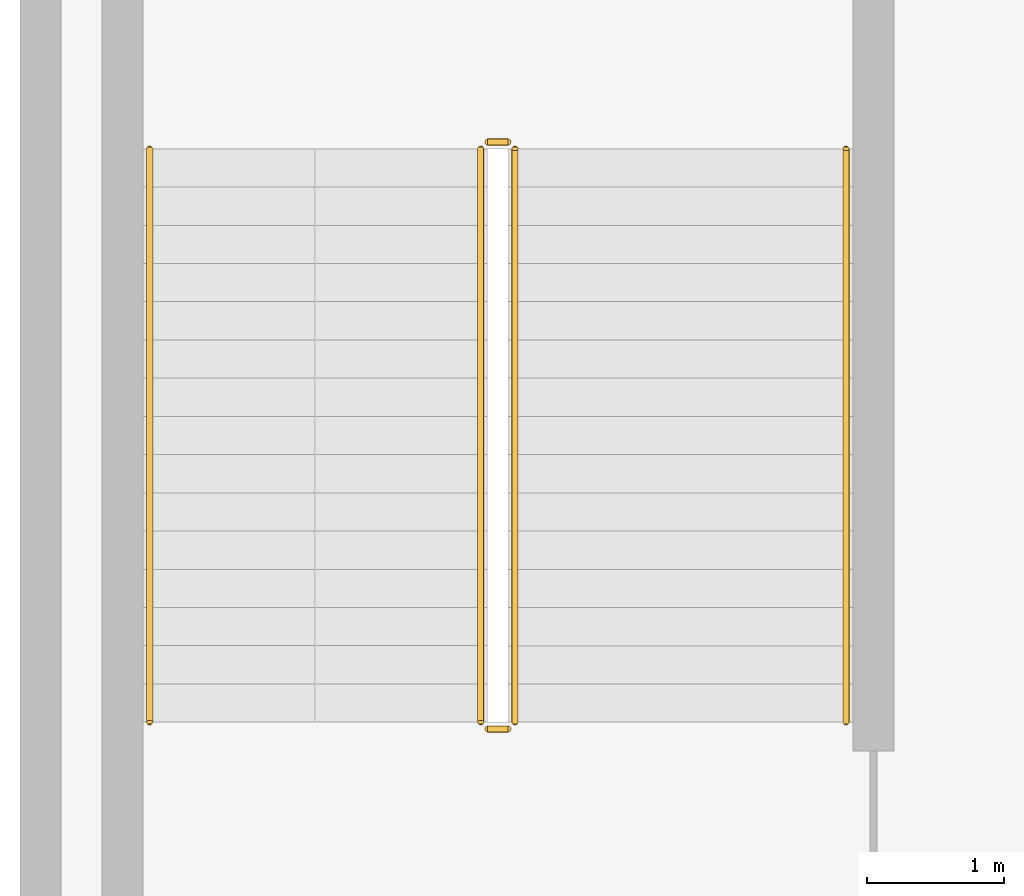
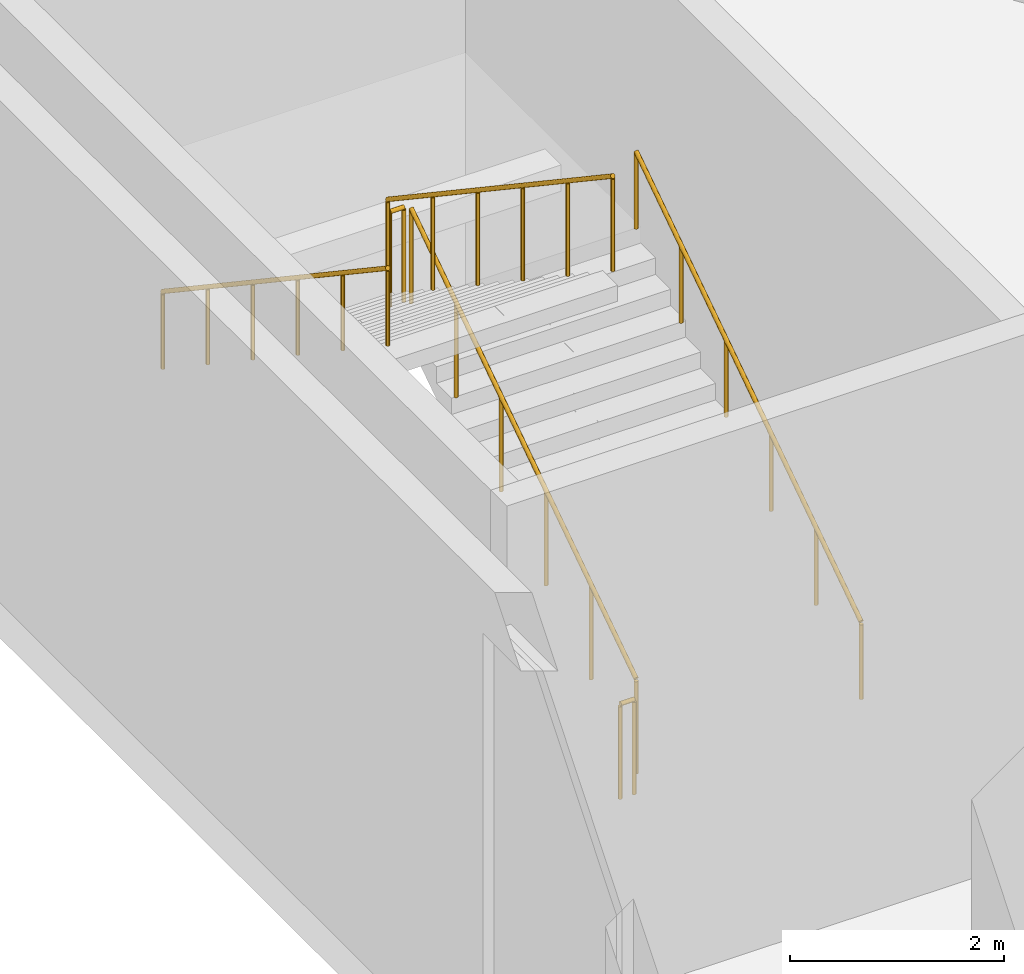
# One storey, part 19 of 25: 6 railings.
"""IFC4 building model written with IfcOpenShell, lengths in metres."""

import ifcopenshell
import ifcopenshell.guid

model = None  # the IFC model being written
_history = None  # IfcOwnerHistory: only IFC2X3 demands one
_inside = {}  # id of a spatial element -> (the spatial element, [elements in it])
_under = {}  # id of a project, library or spatial element -> (it, [spatial elements below it])
_declared = {}  # id of a project -> (the project, [libraries it declares])
_typed = {}  # id of a type object -> (the type object, [elements of that type])
_made_of = {}  # id of a material, layer set ... -> (it, [elements and type objects made of it])


def new_model(schema):
    """Start an empty IFC model of exactly this schema.

    Asked for "IFC4X3", IfcOpenShell would pick the latest addendum, in which some entities
    have other attributes; the version numbers below select the first issue.
    IFC2X3 requires an IfcOwnerHistory on every rooted entity: one is made here for all.
    """
    global model, _history
    if schema == "IFC4X3":
        model = ifcopenshell.file(schema_version=(4, 3, 0, 0))
    else:
        model = ifcopenshell.file(schema=schema)
    _inside.clear()
    _under.clear()
    _declared.clear()
    _typed.clear()
    _made_of.clear()
    _history = None
    if model.schema == "IFC2X3":
        org = make("IfcOrganization", Name="unknown")
        user = make(
            "IfcPersonAndOrganization",
            ThePerson=make("IfcPerson", FamilyName="unknown"),
            TheOrganization=org,
        )
        app = make(
            "IfcApplication",
            ApplicationDeveloper=org,
            Version="unknown",
            ApplicationFullName="unknown",
            ApplicationIdentifier="unknown",
        )
        _history = make(
            "IfcOwnerHistory",
            OwningUser=user,
            OwningApplication=app,
            ChangeAction="ADDED",
            CreationDate=0,
        )
    return model


def make(cls, **values):
    """One entity of the class cls with the attributes given. An attribute that is None is left unset."""
    return model.create_entity(
        cls, **{name: value for name, value in values.items() if value is not None}
    )


def rooted(cls, **values):
    """An entity with a GlobalId (a new one), such as an element, a storey or a relation."""
    return make(cls, GlobalId=ifcopenshell.guid.new(), OwnerHistory=_history, **values)


def si_unit(unit_type, name, prefix=None):
    """IfcSIUnit, for example si_unit("LENGTHUNIT", "METRE", prefix="MILLI")."""
    return make("IfcSIUnit", UnitType=unit_type, Prefix=prefix, Name=name)


def assignment(units):
    """IfcUnitAssignment: the units of a project."""
    return None if units is None else make("IfcUnitAssignment", Units=units)


def point(xyz):
    """IfcCartesianPoint."""
    return None if xyz is None else make("IfcCartesianPoint", Coordinates=xyz)


def direction(xyz):
    """IfcDirection."""
    return None if xyz is None else make("IfcDirection", DirectionRatios=xyz)


def frame(location, z_axis=None, x_axis=None):
    """IfcAxis2Placement3D, a coordinate frame: its origin and axes. An axis left out is left unset."""
    return make(
        "IfcAxis2Placement3D",
        Location=point(location),
        Axis=direction(z_axis),
        RefDirection=direction(x_axis),
    )


def frame_2d(location, x_axis=None):
    """IfcAxis2Placement2D, a coordinate frame in the plane: its origin and x axis."""
    return make(
        "IfcAxis2Placement2D", Location=point(location), RefDirection=direction(x_axis)
    )


def origin():
    """The frame at (0, 0, 0) with its axes left unset."""
    return frame((0.0, 0.0, 0.0))


def origin_2d():
    """The frame at (0, 0) in the plane with its x axis left unset."""
    return frame_2d((0.0, 0.0))


def place(relative_to, where):
    """IfcLocalPlacement: puts the frame where relative to a parent placement (None: the world)."""
    return make(
        "IfcLocalPlacement", PlacementRelTo=relative_to, RelativePlacement=where
    )


def context(
    kind, dimensions, precision=None, world=None, true_north=None, identifier=None
):
    """IfcGeometricRepresentationContext, for example the 3D "Model" context."""
    return make(
        "IfcGeometricRepresentationContext",
        ContextIdentifier=identifier,
        ContextType=kind,
        CoordinateSpaceDimension=dimensions,
        Precision=precision,
        WorldCoordinateSystem=world,
        TrueNorth=true_north,
    )


def subcontext(parent, identifier, kind, view, scale=None):
    """IfcGeometricRepresentationSubContext, for example "Body" below "Model"."""
    return make(
        "IfcGeometricRepresentationSubContext",
        ContextIdentifier=identifier,
        ContextType=kind,
        ParentContext=parent,
        TargetScale=scale,
        TargetView=view,
    )


def project(units=None, contexts=None):
    """IfcProject with its units and contexts."""
    return rooted(
        "IfcProject",
        Name="project",
        RepresentationContexts=contexts,
        UnitsInContext=assignment(units),
    )


def spatial(cls, under=None, at=None, **own):
    """A site, building, storey or space (cls), placed at a placement, below another one or the project."""
    s = rooted(cls, ObjectPlacement=at, **own)
    if under is not None:
        _under.setdefault(under.id(), (under, []))[1].append(s)
    return s


def profile(cls, at=None, kind="AREA", **sizes):
    """A parametric profile (cls). Its sizes go by their IFC names, for example OverallWidth=200.0."""
    return make(cls, ProfileType=kind, Position=at, **sizes)


def circle(**sizes):
    """IfcCircleProfileDef."""
    return profile("IfcCircleProfileDef", **sizes)


def extrude(swept, where, along, depth):
    """IfcExtrudedAreaSolid: the profile swept, set in the frame where, extruded along a direction by depth."""
    return make(
        "IfcExtrudedAreaSolid",
        SweptArea=swept,
        Position=where,
        ExtrudedDirection=direction(along),
        Depth=depth,
    )


def shape(context_of_items, identifier, shape_type, items):
    """IfcShapeRepresentation: the items that make up one representation, for example the "Body"."""
    return make(
        "IfcShapeRepresentation",
        ContextOfItems=context_of_items,
        RepresentationIdentifier=identifier,
        RepresentationType=shape_type,
        Items=items,
    )


def material(Name=None, Category=None):
    """IfcMaterial."""
    return make("IfcMaterial", Name=Name, Category=Category)


def made_of(thing, what):
    """Note that an element or type object is made of a material, layer set ...; save() writes the relation."""
    if what is not None:
        _made_of.setdefault(what.id(), (what, []))[1].append(thing)
    return thing


def type_object(cls, material=None, **own):
    """A type object (cls), such as IfcWallType, which elements share."""
    return made_of(rooted(cls, **own), material)


def element(
    cls,
    number,
    at=None,
    inside=None,
    cuts=None,
    type_object=None,
    material=None,
    context=None,
    identifier="Body",
    shape_type=None,
    held_by="IfcProductDefinitionShape",
    body=None,
    shapes=None,
    **own,
):
    """One element of the class cls, such as IfcWall. Its Tag is "e" and its number.

    at: its placement. inside: the storey or other place that contains it. cuts: it is an
    opening in that element (IfcRelVoidsElement). A single representation is given by context,
    identifier, shape_type and body (its items); several are given by shapes. held_by: the class
    of the entity that holds the representations. save() writes the other relations.
    """
    e = rooted(cls, Tag="e%d" % number, ObjectPlacement=at, **own)
    if body is not None:
        shapes = [shape(context, identifier, shape_type, body)]
    if shapes is not None:
        e.Representation = make(held_by, Representations=shapes)
    if inside is not None:
        _inside.setdefault(inside.id(), (inside, []))[1].append(e)
    if cuts is not None:
        rooted(
            "IfcRelVoidsElement", RelatingBuildingElement=cuts, RelatedOpeningElement=e
        )
    if type_object is not None:
        _typed.setdefault(type_object.id(), (type_object, []))[1].append(e)
    return made_of(e, material)


def aggregate(whole, parts):
    """IfcRelAggregates: a whole, such as a stair, and the parts it consists of."""
    return rooted("IfcRelAggregates", RelatingObject=whole, RelatedObjects=parts)


def save(model, path):
    """Write the relations noted so far, then the file.

    IfcRelAggregates (storeys below a building ...), IfcRelContainedInSpatialStructure (elements
    in a storey), IfcRelDefinesByType, IfcRelAssociatesMaterial and IfcRelDeclares: one each for
    every whole, place, type object, material and project.
    """
    for whole, parts in _under.values():
        aggregate(whole, parts)
    for where, things in _inside.values():
        rooted(
            "IfcRelContainedInSpatialStructure",
            RelatedElements=things,
            RelatingStructure=where,
        )
    for kind, things in _typed.values():
        rooted("IfcRelDefinesByType", RelatedObjects=things, RelatingType=kind)
    for what, things in _made_of.values():
        rooted("IfcRelAssociatesMaterial", RelatedObjects=things, RelatingMaterial=what)
    for by, libraries in _declared.values():
        rooted("IfcRelDeclares", RelatingContext=by, RelatedDefinitions=libraries)
    model.write(path)


model = new_model("IFC4")

# Units and contexts
model_context = context("Model", 3, precision=1e-05, world=origin(), true_north=direction((0.0, 1.0)))
body_context = subcontext(model_context, "Body", "Model", "MODEL_VIEW")
ifc_project = project(units=[si_unit("LENGTHUNIT", "METRE"), si_unit("AREAUNIT", "SQUARE_METRE"), si_unit("VOLUMEUNIT", "CUBIC_METRE"), si_unit("PLANEANGLEUNIT", "RADIAN"), si_unit("MASSUNIT", "GRAM", prefix="KILO")], contexts=[model_context])

# Site, building, storey
site_placement = place(None, origin())
site = spatial("IfcSite", under=ifc_project, at=site_placement, CompositionType="ELEMENT")
building_placement = place(site_placement, origin())
building = spatial("IfcBuilding", under=site, at=building_placement, Name="Tel Ilan Convention Tower", CompositionType="ELEMENT")
storey_placement = place(building_placement, frame((0.0, 0.0, 26.0)))
storey = spatial("IfcBuildingStorey", under=building, at=storey_placement, Name="L03", CompositionType="ELEMENT", Elevation=26.0)

# Railings
ifc_material_1 = material(Name="Stainless Steel Grade 316", Category="steel")
railing_type_1 = type_object("IfcRailingType", Name="Stainless Steel Stair Guard 1100 mm", PredefinedType="GUARDRAIL", material=ifc_material_1)
railing_1_placement = place(storey_placement, frame((-46.375, -40.47509765625, 0.1875)))
element("IfcRailing", 1, at=railing_1_placement, inside=storey, type_object=railing_type_1, Name="L03 P7 stair guard 1", PredefinedType="GUARDRAIL", context=body_context, shape_type="SweptSolid", body=[
    extrude(circle(Radius=0.02392578125, at=origin_2d()), frame((0.0, 0.0, 1.076171875), z_axis=(0.0, 0.830919138977, 0.55639319234), x_axis=(-1.0, 0.0, 0.0)), (0.0, 0.0, 1.0), 5.054931640625),
    extrude(circle(Radius=0.02099609375, at=origin_2d()), origin(), (0.0, 0.0, 1.0), 1.052001953125),
    extrude(circle(Radius=0.02099609375, at=origin_2d()), frame((0.0, 0.840087890625, 0.5625)), (0.0, 0.0, 1.0), 1.052001953125),
    extrude(circle(Radius=0.02099609375, at=origin_2d()), frame((0.0, 1.68017578125, 1.125)), (0.0, 0.0, 1.0), 1.052001953125),
    extrude(circle(Radius=0.02099609375, at=origin_2d()), frame((0.0, 2.52001953125, 1.6875)), (0.0, 0.0, 1.0), 1.052001953125),
    extrude(circle(Radius=0.02099609375, at=origin_2d()), frame((0.0, 3.360107421875, 2.25)), (0.0, 0.0, 1.0), 1.052001953125),
    extrude(circle(Radius=0.02099609375, at=origin_2d()), frame((0.0, 4.2001953125, 2.8125)), (0.0, 0.0, 1.0), 1.052001953125),
])
railing_2_placement = place(storey_placement, frame((-46.425048828125, -36.22509765625, 3.0)))
element("IfcRailing", 2, at=railing_2_placement, inside=storey, type_object=railing_type_1, Name="L03 P7 stair guard 2", PredefinedType="GUARDRAIL", context=body_context, shape_type="SweptSolid", body=[
    extrude(circle(Radius=0.02392578125, at=origin_2d()), frame((0.0, 0.0, 1.076171875), z_axis=(-1.0, 0.0, 0.0), x_axis=(0.0, -1.0, 0.0)), (0.0, 0.0, 1.0), 0.14990234375),
    extrude(circle(Radius=0.02099609375, at=origin_2d()), origin(), (0.0, 0.0, 1.0), 1.052001953125),
    extrude(circle(Radius=0.02099609375, at=origin_2d()), frame((-0.14990234375, 0.0, 0.0)), (0.0, 0.0, 1.0), 1.052001953125),
])
railing_3_placement = place(storey_placement, frame((-46.625, -36.27490234375, 3.1875)))
element("IfcRailing", 3, at=railing_3_placement, inside=storey, type_object=railing_type_1, Name="L03 P7 stair guard 3", PredefinedType="GUARDRAIL", context=body_context, shape_type="SweptSolid", body=[
    extrude(circle(Radius=0.02392578125, at=origin_2d()), frame((0.0, 0.0, 1.076171875), z_axis=(0.0, -0.830919138977, 0.55639319234), x_axis=(1.0, 0.0, 0.0)), (0.0, 0.0, 1.0), 5.054931640625),
    extrude(circle(Radius=0.02099609375, at=origin_2d()), origin(), (0.0, 0.0, 1.0), 1.052001953125),
    extrude(circle(Radius=0.02099609375, at=origin_2d()), frame((0.0, -0.840087890625, 0.5625)), (0.0, 0.0, 1.0), 1.052001953125),
    extrude(circle(Radius=0.02099609375, at=origin_2d()), frame((0.0, -1.68017578125, 1.125)), (0.0, 0.0, 1.0), 1.052001953125),
    extrude(circle(Radius=0.02099609375, at=origin_2d()), frame((0.0, -2.52001953125, 1.6875)), (0.0, 0.0, 1.0), 1.052001953125),
    extrude(circle(Radius=0.02099609375, at=origin_2d()), frame((0.0, -3.360107421875, 2.25)), (0.0, 0.0, 1.0), 1.052001953125),
    extrude(circle(Radius=0.02099609375, at=origin_2d()), frame((0.0, -4.2001953125, 2.8125)), (0.0, 0.0, 1.0), 1.052001953125),
])
railing_4_placement = place(storey_placement, frame((-46.425048828125, -40.52490234375, 0.0)))
element("IfcRailing", 4, at=railing_4_placement, inside=storey, type_object=railing_type_1, Name="L03 P7 stair guard 4", PredefinedType="GUARDRAIL", context=body_context, shape_type="SweptSolid", body=[
    extrude(circle(Radius=0.02392578125, at=origin_2d()), frame((0.0, 0.0, 1.076171875), z_axis=(-1.0, 0.0, 0.0), x_axis=(0.0, -1.0, 0.0)), (0.0, 0.0, 1.0), 0.14990234375),
    extrude(circle(Radius=0.02099609375, at=origin_2d()), origin(), (0.0, 0.0, 1.0), 1.052001953125),
    extrude(circle(Radius=0.02099609375, at=origin_2d()), frame((-0.14990234375, 0.0, 0.0)), (0.0, 0.0, 1.0), 1.052001953125),
])
ifc_material_2 = material(Name="Stainless Steel Grade 316", Category="steel")
railing_type_2 = type_object("IfcRailingType", Name="Stainless Steel Stair Handrail 900 mm", PredefinedType="HANDRAIL", material=ifc_material_2)
railing_5_placement = place(storey_placement, frame((-43.949951171875, -40.47509765625, 0.1875)))
element("IfcRailing", 5, at=railing_5_placement, inside=storey, type_object=railing_type_2, Name="L03 P7 stair handrail 1", PredefinedType="HANDRAIL", context=body_context, shape_type="SweptSolid", body=[
    extrude(circle(Radius=0.02392578125, at=origin_2d()), frame((0.0, 0.0, 0.8759765625), z_axis=(0.0, 0.830919138977, 0.55639319234), x_axis=(-1.0, 0.0, 0.0)), (0.0, 0.0, 1.0), 5.054931640625),
    extrude(circle(Radius=0.02099609375, at=origin_2d()), origin(), (0.0, 0.0, 1.0), 0.851806640625),
    extrude(circle(Radius=0.02099609375, at=origin_2d()), frame((0.0, 0.840087890625, 0.5625)), (0.0, 0.0, 1.0), 0.851806640625),
    extrude(circle(Radius=0.02099609375, at=origin_2d()), frame((0.0, 1.68017578125, 1.125)), (0.0, 0.0, 1.0), 0.851806640625),
    extrude(circle(Radius=0.02099609375, at=origin_2d()), frame((0.0, 2.52001953125, 1.6875)), (0.0, 0.0, 1.0), 0.851806640625),
    extrude(circle(Radius=0.02099609375, at=origin_2d()), frame((0.0, 3.360107421875, 2.25)), (0.0, 0.0, 1.0), 0.851806640625),
    extrude(circle(Radius=0.02099609375, at=origin_2d()), frame((0.0, 4.2001953125, 2.8125)), (0.0, 0.0, 1.0), 0.851806640625),
])
railing_6_placement = place(storey_placement, frame((-49.050048828125, -36.27490234375, 3.1875)))
element("IfcRailing", 6, at=railing_6_placement, inside=storey, type_object=railing_type_2, Name="L03 P7 stair handrail 2", PredefinedType="HANDRAIL", context=body_context, shape_type="SweptSolid", body=[
    extrude(circle(Radius=0.02392578125, at=origin_2d()), frame((0.0, 0.0, 0.8759765625), z_axis=(0.0, -0.830919138977, 0.55639319234), x_axis=(1.0, 0.0, 0.0)), (0.0, 0.0, 1.0), 5.054931640625),
    extrude(circle(Radius=0.02099609375, at=origin_2d()), origin(), (0.0, 0.0, 1.0), 0.851806640625),
    extrude(circle(Radius=0.02099609375, at=origin_2d()), frame((0.0, -0.840087890625, 0.5625)), (0.0, 0.0, 1.0), 0.851806640625),
    extrude(circle(Radius=0.02099609375, at=origin_2d()), frame((0.0, -1.68017578125, 1.125)), (0.0, 0.0, 1.0), 0.851806640625),
    extrude(circle(Radius=0.02099609375, at=origin_2d()), frame((0.0, -2.52001953125, 1.6875)), (0.0, 0.0, 1.0), 0.851806640625),
    extrude(circle(Radius=0.02099609375, at=origin_2d()), frame((0.0, -3.360107421875, 2.25)), (0.0, 0.0, 1.0), 0.851806640625),
    extrude(circle(Radius=0.02099609375, at=origin_2d()), frame((0.0, -4.2001953125, 2.8125)), (0.0, 0.0, 1.0), 0.851806640625),
])

save(model, "model.ifc")
